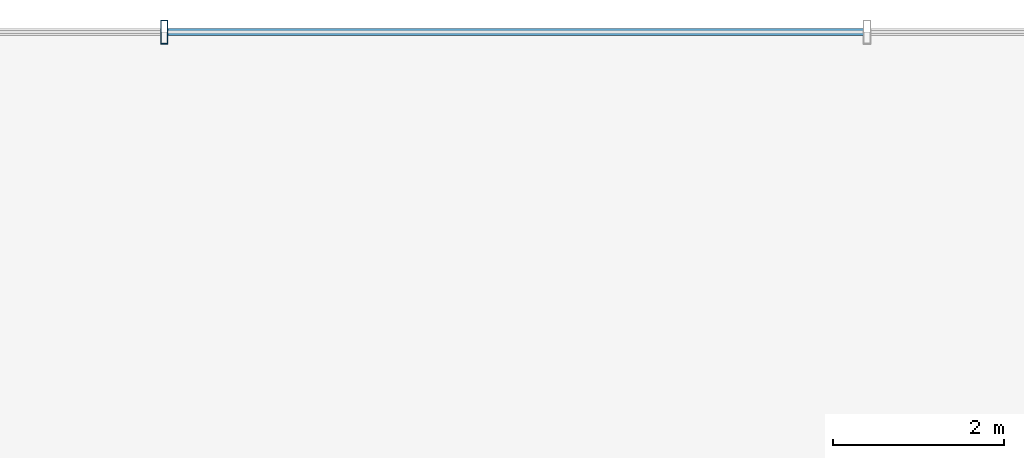
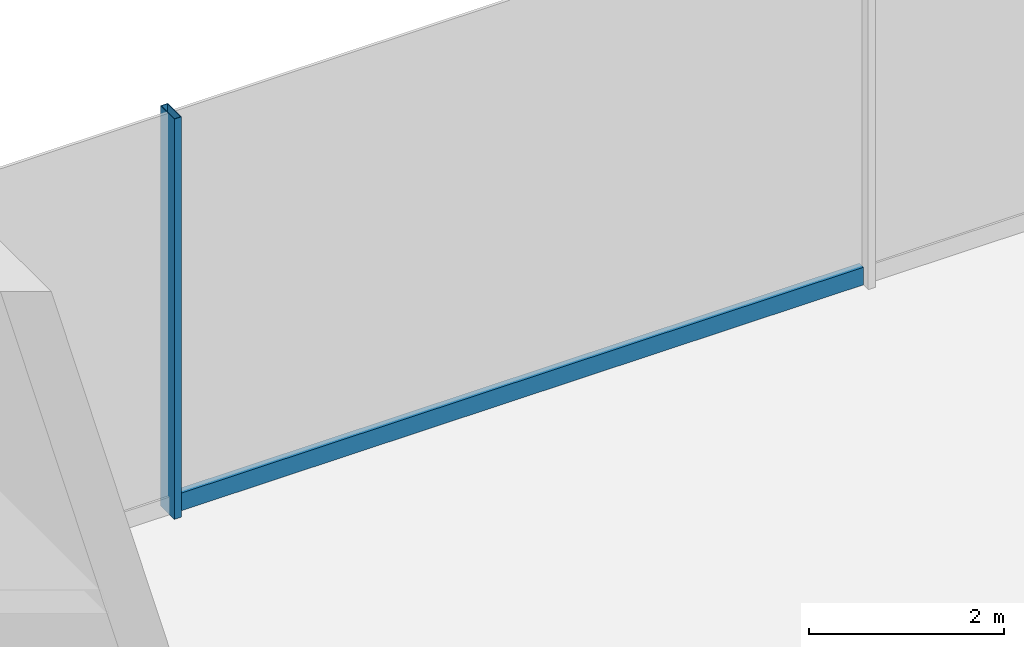
# One storey, part 18 of 40: 2 members, 1 element without a shape of its own.
"""IFC4 building model written with IfcOpenShell, lengths in metres."""

from ifc_helpers import new_model, si_unit, derived_unit, direction, frame, origin, origin_2d, place, context, subcontext, project, spatial, hollow_rectangle, extrude, source, transform, mapped, material, material_profile, profile_set, type_object, element, aggregate, save


model = new_model("IFC4")

# Units and contexts
model_context = context("Model", 3, precision=1e-05, world=origin(), true_north=direction((0.0, 1.0)))
body_context = subcontext(model_context, "Body", "Model", "MODEL_VIEW")
ifc_project = project(units=[si_unit("LENGTHUNIT", "METRE"), si_unit("AREAUNIT", "SQUARE_METRE"), si_unit("VOLUMEUNIT", "CUBIC_METRE"), si_unit("PLANEANGLEUNIT", "RADIAN"), si_unit("MASSUNIT", "GRAM", prefix="KILO"), derived_unit("THERMALTRANSMITTANCEUNIT", [(si_unit("POWERUNIT", "WATT"), 1), (si_unit("LENGTHUNIT", "METRE"), -2), (si_unit("THERMODYNAMICTEMPERATUREUNIT", "KELVIN"), -1)])], contexts=[model_context])

# Site, building, storey
site_placement = place(None, origin())
site = spatial("IfcSite", under=ifc_project, at=site_placement, CompositionType="ELEMENT")
building_placement = place(site_placement, origin())
building = spatial("IfcBuilding", under=site, at=building_placement, Name="Skarnbrae Concourse Arena and Tower", CompositionType="ELEMENT")
storey_placement = place(building_placement, frame((0.0, 0.0, 6.0)))
storey = spatial("IfcBuildingStorey", under=building, at=storey_placement, Name="L01", CompositionType="ELEMENT", Elevation=6.0)

# Curtain wall, members
ifc_material = material(Name="Bronze anodised aluminium 6063-T6", Category="aluminium")
curtain_wall_type = type_object("IfcCurtainWallType", Name="CW-SYS-01-PODIUM", PredefinedType="USERDEFINED", material=ifc_material)
curtain_wall_placement = place(storey_placement, origin())
curtain_wall = element("IfcCurtainWall", 1, at=curtain_wall_placement, inside=storey, type_object=curtain_wall_type, Name="L01 Unitised curtain wall CW-L01-N", ObjectType="UNITISED CURTAIN WALL", PredefinedType="USERDEFINED")
ifc_material_profile_1 = material_profile(ifc_material, hollow_rectangle(XDim=0.0849609375, YDim=0.280029296875, WallThickness=0.006103515625, at=origin_2d()), Name="ALU-MULL-85X280")
ifc_profile_set_1 = profile_set([ifc_material_profile_1], Name="Bronze anodised aluminium 6063-T6")
member_type_1 = type_object("IfcMemberType", Name="CWM-CW-01", PredefinedType="MULLION", material=ifc_profile_set_1)
shared_shape_1 = source(origin(), body_context, "Body", "SweptSolid", [
    extrude(hollow_rectangle(XDim=0.0849609375, YDim=0.280029296875, WallThickness=0.006103515625, at=origin_2d()), origin(), (0.0, 0.0, 1.0), 5.0),
])
member_1_placement = place(storey_placement, frame((57.39990234375, 56.0, 0.0), z_axis=(0.0, 0.0, 1.0), x_axis=(-1.0, 0.0, 0.0)))
member_1 = element("IfcMember", 2, at=member_1_placement, type_object=member_type_1, Name="CW-L01-N Mullion 4", PredefinedType="MULLION", context=body_context, shape_type="MappedRepresentation", body=[
    mapped(shared_shape_1, transform((0.0, 0.0, 0.0))),
])
ifc_material_profile_2 = material_profile(ifc_material, hollow_rectangle(XDim=0.0849609375, YDim=0.219970703125, WallThickness=0.006103515625, at=origin_2d()), Name="ALU-TRAN-85X220")
ifc_profile_set_2 = profile_set([ifc_material_profile_2], Name="Bronze anodised aluminium 6063-T6")
member_type_2 = type_object("IfcMemberType", Name="CWT-CW-01", PredefinedType="USERDEFINED", material=ifc_profile_set_2)
shared_shape_2 = source(origin(), body_context, "Body", "SweptSolid", [
    extrude(hollow_rectangle(XDim=0.0849609375, YDim=0.219970703125, WallThickness=0.006103515625, at=origin_2d()), origin(), (0.0, 0.0, 1.0), 8.115234375),
])
member_2_placement = place(storey_placement, frame((65.5576171875, 56.0, 0.110107421875), z_axis=(-1.0, 0.0, 0.0), x_axis=(0.0, -1.0, 0.0)))
member_2 = element("IfcMember", 3, at=member_2_placement, type_object=member_type_2, Name="CW-L01-N Transom 3", ObjectType="TRANSOM", PredefinedType="USERDEFINED", context=body_context, shape_type="MappedRepresentation", body=[
    mapped(shared_shape_2, transform((0.0, 0.0, 0.0))),
])
aggregate(curtain_wall, [member_1, member_2])

save(model, "model.ifc")
